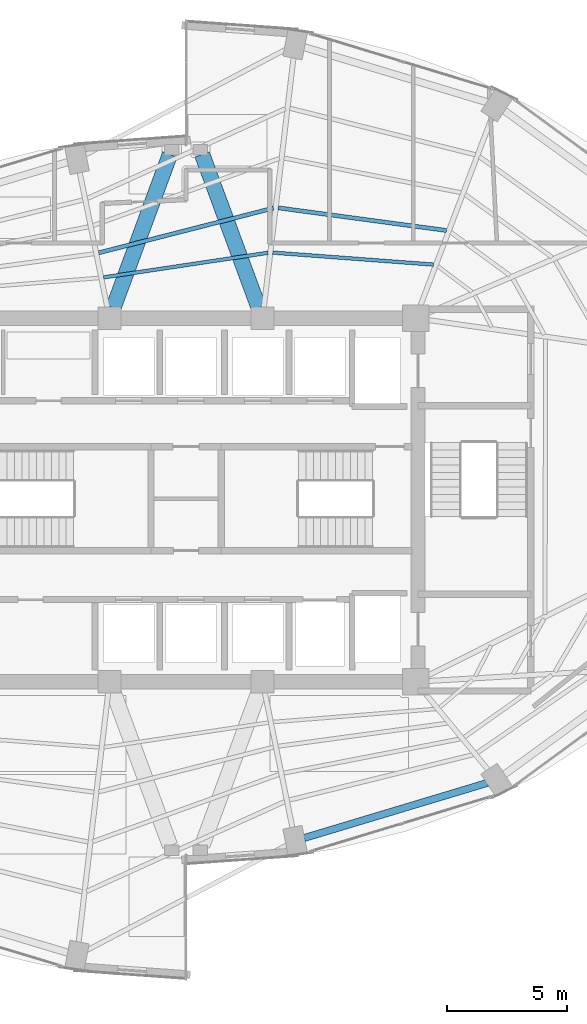
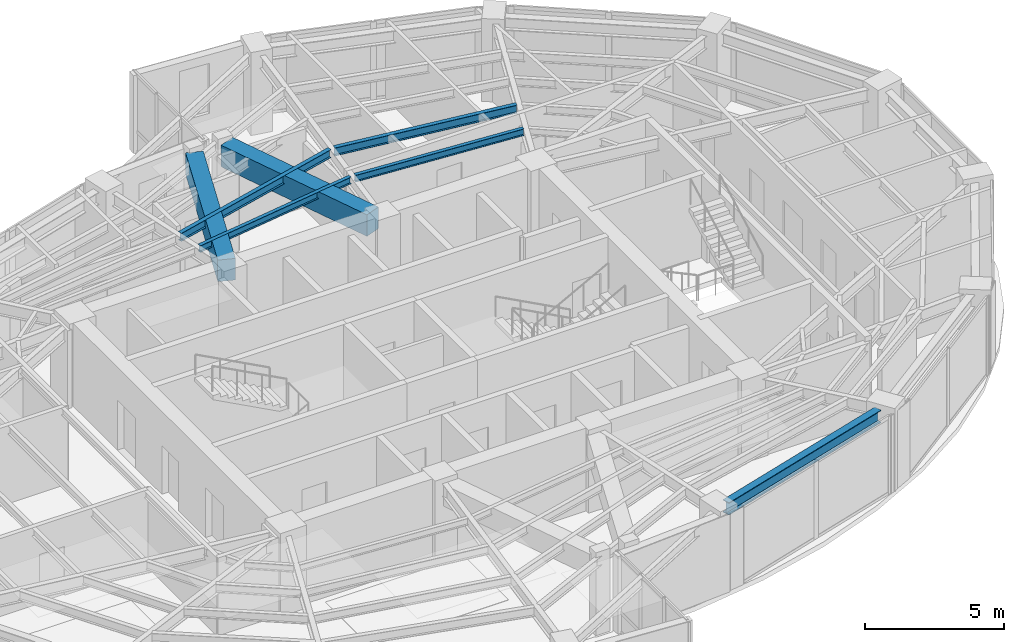
# One storey, part 8 of 20: 7 beams.
"""IFC4 building model written with IfcOpenShell, lengths in metres."""

from ifc_helpers import new_model, si_unit, direction, frame, origin, origin_2d, place, context, subcontext, project, spatial, rectangle, i_section, extrude, material, material_profile, profile_set, type_object, element, save


model = new_model("IFC4")

# Units and contexts
model_context = context("Model", 3, precision=1e-05, world=origin(), true_north=direction((0.0, 1.0)))
body_context = subcontext(model_context, "Body", "Model", "MODEL_VIEW")
ifc_project = project(units=[si_unit("LENGTHUNIT", "METRE"), si_unit("AREAUNIT", "SQUARE_METRE"), si_unit("VOLUMEUNIT", "CUBIC_METRE"), si_unit("PLANEANGLEUNIT", "RADIAN"), si_unit("MASSUNIT", "GRAM", prefix="KILO")], contexts=[model_context])

# Site, building, storey
site_placement = place(None, origin())
site = spatial("IfcSite", under=ifc_project, at=site_placement, CompositionType="ELEMENT")
building_placement = place(site_placement, origin())
building = spatial("IfcBuilding", under=site, at=building_placement, Name="Lazwardi Medical Tower", CompositionType="ELEMENT")
storey_placement = place(building_placement, frame((0.0, 0.0, 156.528076171875)))
storey = spatial("IfcBuildingStorey", under=building, at=storey_placement, Name="L40", CompositionType="ELEMENT", Elevation=156.528076171875)

# Beams
ifc_material_1 = material(Name="Concrete C60/75", Category="concrete")
ifc_material_profile_1 = material_profile(ifc_material_1, rectangle(XDim=0.64990234375, YDim=0.949951171875, at=origin_2d()), Name="RC 650x950")
ifc_profile_set_1 = profile_set([ifc_material_profile_1], Name="Concrete C60/75")
beam_type_1 = type_object("IfcBeamType", Name="BM-CB-RC2", PredefinedType="LINTEL", material=ifc_profile_set_1)
for number, where, z_axis, x_axis, name in (
    (1, (32.959228515625, 36.031494140625, 2.952880859375), (0.34601281054, 0.938229787921, 0.0), (-0.938229787921, 0.34601281054, 0.0), "Core coupling lintel CB-02 PL1 L40"),
    (2, (39.040771484375, 36.031494140625, 2.952880859375), (-0.34601281054, 0.938229787921, 0.0), (-0.938229787921, -0.34601281054, 0.0), "Core coupling lintel CB-02 PL2 L40"),
):
    element("IfcBeam", number, at=place(storey_placement, frame(where, z_axis=z_axis, x_axis=x_axis)), inside=storey, type_object=beam_type_1, Name=name, PredefinedType="LINTEL", context=body_context, shape_type="SweptSolid", body=[
        extrude(rectangle(XDim=0.64990234375, YDim=0.949951171875, at=origin_2d()), origin(), (0.0, 0.0, 1.0), 6.84423828125),
    ])
ifc_material_2 = material(Name="Steel S355", Category="steel")
ifc_material_profile_2 = material_profile(ifc_material_2, i_section(OverallWidth=0.300048828125, OverallDepth=0.550048828125, WebThickness=0.014892578125, FlangeThickness=0.029052734375, at=origin_2d()), Name="HEB 550")
ifc_profile_set_2 = profile_set([ifc_material_profile_2], Name="Steel S355")
beam_type_2 = type_object("IfcBeamType", Name="BM-RB-Z3", PredefinedType="BEAM", material=ifc_profile_set_2)
beam_1_placement = place(storey_placement, frame((40.943115234375, 13.866455078125, 3.15283203125), z_axis=(0.957616873483, 0.288045002771, 0.0), x_axis=(-0.288045002771, 0.957616873483, 0.0)))
element("IfcBeam", 3, at=beam_1_placement, inside=storey, type_object=beam_type_2, Name="Ring beam RB-04 B01 L40", PredefinedType="BEAM", context=body_context, shape_type="SweptSolid", body=[
    extrude(i_section(OverallWidth=0.300048828125, OverallDepth=0.550048828125, WebThickness=0.014892578125, FlangeThickness=0.029052734375, at=origin_2d()), origin(), (0.0, 0.0, 1.0), 7.99951171875),
])
ifc_material_profile_3 = material_profile(ifc_material_2, i_section(OverallWidth=0.169921875, OverallDepth=0.360107421875, WebThickness=0.008056640625, FlangeThickness=0.0126953125, at=origin_2d()), Name="IPE 360")
ifc_profile_set_3 = profile_set([ifc_material_profile_3], Name="Steel S355")
beam_type_3 = type_object("IfcBeamType", Name="BM-SJ-02", PredefinedType="JOIST", material=ifc_profile_set_3)
beam_2_placement = place(storey_placement, frame((46.889892578125, 39.269775390625, 3.247802734375), z_axis=(-0.991056291961, 0.133444468468, 0.0), x_axis=(-0.133444468468, -0.991056291961, 0.0)))
element("IfcBeam", 4, at=beam_2_placement, inside=storey, type_object=beam_type_3, Name="Secondary joist SJ-02 R3 B07 L40", PredefinedType="JOIST", context=body_context, shape_type="SweptSolid", body=[
    extrude(i_section(OverallWidth=0.169921875, OverallDepth=0.360107421875, WebThickness=0.008056640625, FlangeThickness=0.0126953125, at=origin_2d()), origin(), (0.0, 0.0, 1.0), 7.10400390625),
])
beam_3_placement = place(storey_placement, frame((39.6533203125, 40.206298828125, 3.247802734375), z_axis=(-0.96877632572, -0.247936344097, 0.0), x_axis=(0.247936344097, -0.96877632572, 0.0)))
element("IfcBeam", 5, at=beam_3_placement, inside=storey, type_object=beam_type_3, Name="Secondary joist SJ-02 R3 B08 L40", PredefinedType="JOIST", context=body_context, shape_type="SweptSolid", body=[
    extrude(i_section(OverallWidth=0.169921875, OverallDepth=0.360107421875, WebThickness=0.008056640625, FlangeThickness=0.0126953125, at=origin_2d()), origin(), (0.0, 0.0, 1.0), 7.546630859375),
])
ifc_material_profile_4 = material_profile(ifc_material_2, i_section(OverallWidth=0.14990234375, OverallDepth=0.300048828125, WebThickness=0.007080078125, FlangeThickness=0.0107421875, at=origin_2d()), Name="IPE 300")
ifc_profile_set_4 = profile_set([ifc_material_profile_4], Name="Steel S355")
beam_type_4 = type_object("IfcBeamType", Name="BM-SJ-03", PredefinedType="JOIST", material=ifc_profile_set_4)
beam_4_placement = place(storey_placement, frame((46.349609375, 37.843505859375, 3.27783203125), z_axis=(-0.99722699261, 0.074419924822, 0.0), x_axis=(-0.074419924822, -0.99722699261, 0.0)))
element("IfcBeam", 6, at=beam_4_placement, inside=storey, type_object=beam_type_4, Name="Secondary joist SJ-03 R4 B07 L40", PredefinedType="JOIST", context=body_context, shape_type="SweptSolid", body=[
    extrude(i_section(OverallWidth=0.14990234375, OverallDepth=0.300048828125, WebThickness=0.007080078125, FlangeThickness=0.0107421875, at=origin_2d()), origin(), (0.0, 0.0, 1.0), 6.74169921875),
])
beam_5_placement = place(storey_placement, frame((39.42822265625, 38.337890625, 3.27783203125), z_axis=(-0.98897469849, -0.148084589835, 0.0), x_axis=(0.148084589835, -0.98897469849, 0.0)))
element("IfcBeam", 7, at=beam_5_placement, inside=storey, type_object=beam_type_4, Name="Secondary joist SJ-03 R4 B08 L40", PredefinedType="JOIST", context=body_context, shape_type="SweptSolid", body=[
    extrude(i_section(OverallWidth=0.14990234375, OverallDepth=0.300048828125, WebThickness=0.007080078125, FlangeThickness=0.0107421875, at=origin_2d()), origin(), (0.0, 0.0, 1.0), 6.952392578125),
])

save(model, "model.ifc")
